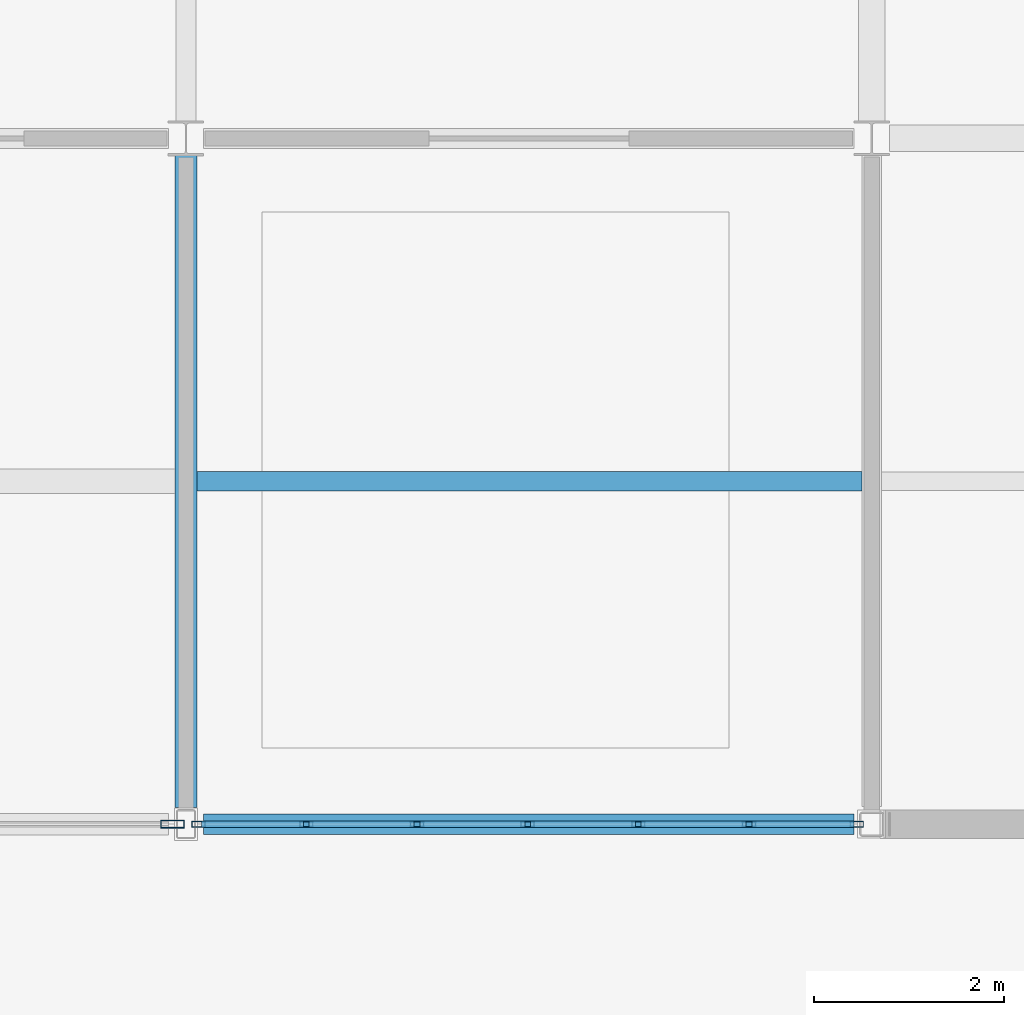
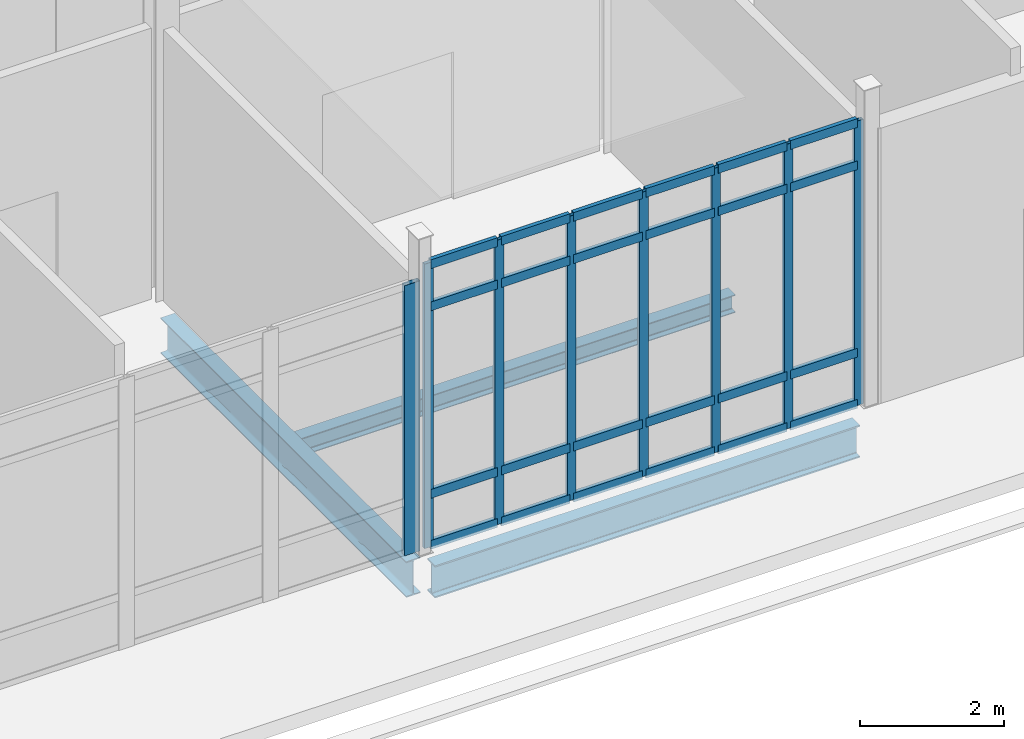
# One storey, part 114 of 229: 32 members, 3 beams, 2 elements without a shape of their own.
"""IFC4 building model written with IfcOpenShell, lengths in metres."""

import ifcopenshell
import ifcopenshell.guid

model = None  # the IFC model being written
_history = None  # IfcOwnerHistory: only IFC2X3 demands one
_inside = {}  # id of a spatial element -> (the spatial element, [elements in it])
_under = {}  # id of a project, library or spatial element -> (it, [spatial elements below it])
_declared = {}  # id of a project -> (the project, [libraries it declares])
_typed = {}  # id of a type object -> (the type object, [elements of that type])
_made_of = {}  # id of a material, layer set ... -> (it, [elements and type objects made of it])


def new_model(schema):
    """Start an empty IFC model of exactly this schema.

    Asked for "IFC4X3", IfcOpenShell would pick the latest addendum, in which some entities
    have other attributes; the version numbers below select the first issue.
    IFC2X3 requires an IfcOwnerHistory on every rooted entity: one is made here for all.
    """
    global model, _history
    if schema == "IFC4X3":
        model = ifcopenshell.file(schema_version=(4, 3, 0, 0))
    else:
        model = ifcopenshell.file(schema=schema)
    _inside.clear()
    _under.clear()
    _declared.clear()
    _typed.clear()
    _made_of.clear()
    _history = None
    if model.schema == "IFC2X3":
        org = make("IfcOrganization", Name="unknown")
        user = make(
            "IfcPersonAndOrganization",
            ThePerson=make("IfcPerson", FamilyName="unknown"),
            TheOrganization=org,
        )
        app = make(
            "IfcApplication",
            ApplicationDeveloper=org,
            Version="unknown",
            ApplicationFullName="unknown",
            ApplicationIdentifier="unknown",
        )
        _history = make(
            "IfcOwnerHistory",
            OwningUser=user,
            OwningApplication=app,
            ChangeAction="ADDED",
            CreationDate=0,
        )
    return model


def make(cls, **values):
    """One entity of the class cls with the attributes given. An attribute that is None is left unset."""
    return model.create_entity(
        cls, **{name: value for name, value in values.items() if value is not None}
    )


def rooted(cls, **values):
    """An entity with a GlobalId (a new one), such as an element, a storey or a relation."""
    return make(cls, GlobalId=ifcopenshell.guid.new(), OwnerHistory=_history, **values)


def si_unit(unit_type, name, prefix=None):
    """IfcSIUnit, for example si_unit("LENGTHUNIT", "METRE", prefix="MILLI")."""
    return make("IfcSIUnit", UnitType=unit_type, Prefix=prefix, Name=name)


def assignment(units):
    """IfcUnitAssignment: the units of a project."""
    return None if units is None else make("IfcUnitAssignment", Units=units)


def point(xyz):
    """IfcCartesianPoint."""
    return None if xyz is None else make("IfcCartesianPoint", Coordinates=xyz)


def direction(xyz):
    """IfcDirection."""
    return None if xyz is None else make("IfcDirection", DirectionRatios=xyz)


def frame(location, z_axis=None, x_axis=None):
    """IfcAxis2Placement3D, a coordinate frame: its origin and axes. An axis left out is left unset."""
    return make(
        "IfcAxis2Placement3D",
        Location=point(location),
        Axis=direction(z_axis),
        RefDirection=direction(x_axis),
    )


def frame_2d(location, x_axis=None):
    """IfcAxis2Placement2D, a coordinate frame in the plane: its origin and x axis."""
    return make(
        "IfcAxis2Placement2D", Location=point(location), RefDirection=direction(x_axis)
    )


def origin():
    """The frame at (0, 0, 0) with its axes left unset."""
    return frame((0.0, 0.0, 0.0))


def origin_2d():
    """The frame at (0, 0) in the plane with its x axis left unset."""
    return frame_2d((0.0, 0.0))


def place(relative_to, where):
    """IfcLocalPlacement: puts the frame where relative to a parent placement (None: the world)."""
    return make(
        "IfcLocalPlacement", PlacementRelTo=relative_to, RelativePlacement=where
    )


def context(
    kind, dimensions, precision=None, world=None, true_north=None, identifier=None
):
    """IfcGeometricRepresentationContext, for example the 3D "Model" context."""
    return make(
        "IfcGeometricRepresentationContext",
        ContextIdentifier=identifier,
        ContextType=kind,
        CoordinateSpaceDimension=dimensions,
        Precision=precision,
        WorldCoordinateSystem=world,
        TrueNorth=true_north,
    )


def subcontext(parent, identifier, kind, view, scale=None):
    """IfcGeometricRepresentationSubContext, for example "Body" below "Model"."""
    return make(
        "IfcGeometricRepresentationSubContext",
        ContextIdentifier=identifier,
        ContextType=kind,
        ParentContext=parent,
        TargetScale=scale,
        TargetView=view,
    )


def project(units=None, contexts=None):
    """IfcProject with its units and contexts."""
    return rooted(
        "IfcProject",
        Name="project",
        RepresentationContexts=contexts,
        UnitsInContext=assignment(units),
    )


def spatial(cls, under=None, at=None, **own):
    """A site, building, storey or space (cls), placed at a placement, below another one or the project."""
    s = rooted(cls, ObjectPlacement=at, **own)
    if under is not None:
        _under.setdefault(under.id(), (under, []))[1].append(s)
    return s


def profile(cls, at=None, kind="AREA", **sizes):
    """A parametric profile (cls). Its sizes go by their IFC names, for example OverallWidth=200.0."""
    return make(cls, ProfileType=kind, Position=at, **sizes)


def hollow_rectangle(**sizes):
    """IfcRectangleHollowProfileDef."""
    return profile("IfcRectangleHollowProfileDef", **sizes)


def i_section(**sizes):
    """IfcIShapeProfileDef."""
    return profile("IfcIShapeProfileDef", **sizes)


def extrude(swept, where, along, depth):
    """IfcExtrudedAreaSolid: the profile swept, set in the frame where, extruded along a direction by depth."""
    return make(
        "IfcExtrudedAreaSolid",
        SweptArea=swept,
        Position=where,
        ExtrudedDirection=direction(along),
        Depth=depth,
    )


def shape(context_of_items, identifier, shape_type, items):
    """IfcShapeRepresentation: the items that make up one representation, for example the "Body"."""
    return make(
        "IfcShapeRepresentation",
        ContextOfItems=context_of_items,
        RepresentationIdentifier=identifier,
        RepresentationType=shape_type,
        Items=items,
    )


def material(Name=None, Category=None):
    """IfcMaterial."""
    return make("IfcMaterial", Name=Name, Category=Category)


def layer(
    of_material, thickness, ventilated=None, Name=None, Category=None, Priority=None
):
    """IfcMaterialLayer: one layer of a wall or slab, of a material (None: an air gap)."""
    return make(
        "IfcMaterialLayer",
        Material=of_material,
        LayerThickness=thickness,
        IsVentilated=ventilated,
        Name=Name,
        Category=Category,
        Priority=Priority,
    )


def layer_set(layers, Name=None):
    """IfcMaterialLayerSet."""
    return make("IfcMaterialLayerSet", MaterialLayers=layers, LayerSetName=Name)


def material_profile(
    of_material, cross_section, Name=None, Category=None, Priority=None
):
    """IfcMaterialProfile: a cross section and its material."""
    return make(
        "IfcMaterialProfile",
        Name=Name,
        Material=of_material,
        Profile=cross_section,
        Priority=Priority,
        Category=Category,
    )


def profile_set(profiles, Name=None, composite=None):
    """IfcMaterialProfileSet."""
    return make(
        "IfcMaterialProfileSet",
        Name=Name,
        MaterialProfiles=profiles,
        CompositeProfile=composite,
    )


def made_of(thing, what):
    """Note that an element or type object is made of a material, layer set ...; save() writes the relation."""
    if what is not None:
        _made_of.setdefault(what.id(), (what, []))[1].append(thing)
    return thing


def type_object(cls, material=None, **own):
    """A type object (cls), such as IfcWallType, which elements share."""
    return made_of(rooted(cls, **own), material)


def element(
    cls,
    number,
    at=None,
    inside=None,
    cuts=None,
    type_object=None,
    material=None,
    context=None,
    identifier="Body",
    shape_type=None,
    held_by="IfcProductDefinitionShape",
    body=None,
    shapes=None,
    **own,
):
    """One element of the class cls, such as IfcWall. Its Tag is "e" and its number.

    at: its placement. inside: the storey or other place that contains it. cuts: it is an
    opening in that element (IfcRelVoidsElement). A single representation is given by context,
    identifier, shape_type and body (its items); several are given by shapes. held_by: the class
    of the entity that holds the representations. save() writes the other relations.
    """
    e = rooted(cls, Tag="e%d" % number, ObjectPlacement=at, **own)
    if body is not None:
        shapes = [shape(context, identifier, shape_type, body)]
    if shapes is not None:
        e.Representation = make(held_by, Representations=shapes)
    if inside is not None:
        _inside.setdefault(inside.id(), (inside, []))[1].append(e)
    if cuts is not None:
        rooted(
            "IfcRelVoidsElement", RelatingBuildingElement=cuts, RelatedOpeningElement=e
        )
    if type_object is not None:
        _typed.setdefault(type_object.id(), (type_object, []))[1].append(e)
    return made_of(e, material)


def aggregate(whole, parts):
    """IfcRelAggregates: a whole, such as a stair, and the parts it consists of."""
    return rooted("IfcRelAggregates", RelatingObject=whole, RelatedObjects=parts)


def save(model, path):
    """Write the relations noted so far, then the file.

    IfcRelAggregates (storeys below a building ...), IfcRelContainedInSpatialStructure (elements
    in a storey), IfcRelDefinesByType, IfcRelAssociatesMaterial and IfcRelDeclares: one each for
    every whole, place, type object, material and project.
    """
    for whole, parts in _under.values():
        aggregate(whole, parts)
    for where, things in _inside.values():
        rooted(
            "IfcRelContainedInSpatialStructure",
            RelatedElements=things,
            RelatingStructure=where,
        )
    for kind, things in _typed.values():
        rooted("IfcRelDefinesByType", RelatedObjects=things, RelatingType=kind)
    for what, things in _made_of.values():
        rooted("IfcRelAssociatesMaterial", RelatedObjects=things, RelatingMaterial=what)
    for by, libraries in _declared.values():
        rooted("IfcRelDeclares", RelatingContext=by, RelatedDefinitions=libraries)
    model.write(path)


model = new_model("IFC4")

# Units and contexts
model_context = context("Model", 3, precision=1e-05, world=origin(), true_north=direction((0.0, 1.0)))
body_context = subcontext(model_context, "Body", "Model", "MODEL_VIEW")
ifc_project = project(units=[si_unit("LENGTHUNIT", "METRE"), si_unit("AREAUNIT", "SQUARE_METRE"), si_unit("VOLUMEUNIT", "CUBIC_METRE"), si_unit("PLANEANGLEUNIT", "RADIAN"), si_unit("MASSUNIT", "GRAM", prefix="KILO")], contexts=[model_context])

# Site, building, storey
site_placement = place(None, origin())
site = spatial("IfcSite", under=ifc_project, at=site_placement, CompositionType="ELEMENT")
building_placement = place(site_placement, origin())
building = spatial("IfcBuilding", under=site, at=building_placement, Name="Calvrana Isthmian Art Gallery", CompositionType="ELEMENT")
storey_placement = place(building_placement, origin())
storey = spatial("IfcBuildingStorey", under=building, at=storey_placement, Name="L00", CompositionType="ELEMENT", Elevation=0.0)

# Beams
ifc_material_1 = material(Name="Steel ASTM A992 Gr 50", Category="steel")
ifc_material_profile_1 = material_profile(ifc_material_1, i_section(OverallWidth=0.214111328125, OverallDepth=0.549072265625, WebThickness=0.0146484375, FlangeThickness=0.023681640625, FilletRadius=0.02099609375, at=origin_2d()), Name="W21X93")
ifc_profile_set_1 = profile_set([ifc_material_profile_1], Name="Steel ASTM A992 Gr 50")
beam_type_1 = type_object("IfcBeamType", Name="BM-G-W21X93", PredefinedType="BEAM", material=ifc_profile_set_1)
beam_1_placement = place(storey_placement, frame((127.384033203125, 0.0, -0.5595703125), z_axis=(1.0, 0.0, 0.0), x_axis=(0.0, 1.0, 0.0)))
element("IfcBeam", 1, at=beam_1_placement, inside=storey, type_object=beam_type_1, Name="Girder X L00 17-18/A", PredefinedType="BEAM", context=body_context, shape_type="SweptSolid", body=[
    extrude(i_section(OverallWidth=0.214111328125, OverallDepth=0.549072265625, WebThickness=0.0146484375, FlangeThickness=0.023681640625, FilletRadius=0.02099609375, at=origin_2d()), origin(), (0.0, 0.0, 1.0), 6.829345703125),
])
ifc_material_profile_2 = material_profile(ifc_material_1, i_section(OverallWidth=0.22802734375, OverallDepth=0.60693359375, WebThickness=0.01123046875, FlangeThickness=0.017333984375, FilletRadius=0.02197265625, at=origin_2d()), Name="W24X76")
ifc_profile_set_2 = profile_set([ifc_material_profile_2], Name="Steel ASTM A992 Gr 50")
beam_type_2 = type_object("IfcBeamType", Name="BM-G-W24X76", PredefinedType="BEAM", material=ifc_profile_set_2)
beam_2_placement = place(storey_placement, frame((127.199951171875, 0.177978515625, -0.58837890625), z_axis=(0.0, 1.0, 0.0), x_axis=(-1.0, 0.0, 0.0)))
element("IfcBeam", 2, at=beam_2_placement, inside=storey, type_object=beam_type_2, Name="Girder Y L00 17/A-B", PredefinedType="BEAM", context=body_context, shape_type="SweptSolid", body=[
    extrude(i_section(OverallWidth=0.22802734375, OverallDepth=0.60693359375, WebThickness=0.01123046875, FlangeThickness=0.017333984375, FilletRadius=0.02197265625, at=origin_2d()), origin(), (0.0, 0.0, 1.0), 6.840576171875),
])
ifc_material_profile_3 = material_profile(ifc_material_1, i_section(OverallWidth=0.202880859375, OverallDepth=0.302001953125, WebThickness=0.007568359375, FlangeThickness=0.01318359375, FilletRadius=0.01611328125, at=origin_2d()), Name="W12X40")
ifc_profile_set_3 = profile_set([ifc_material_profile_3], Name="Steel ASTM A992 Gr 50")
beam_type_3 = type_object("IfcBeamType", Name="BM-J-W12X40", PredefinedType="JOIST", material=ifc_profile_set_3)
beam_3_placement = place(storey_placement, frame((127.31396484375, 3.60009765625, -0.43603515625), z_axis=(1.0, 0.0, 0.0), x_axis=(0.0, 1.0, 0.0)))
element("IfcBeam", 3, at=beam_3_placement, inside=storey, type_object=beam_type_3, Name="Composite joist L00 bay 16-00", PredefinedType="JOIST", context=body_context, shape_type="SweptSolid", body=[
    extrude(i_section(OverallWidth=0.202880859375, OverallDepth=0.302001953125, WebThickness=0.007568359375, FlangeThickness=0.01318359375, FilletRadius=0.01611328125, at=origin_2d()), origin(), (0.0, 0.0, 1.0), 6.9814453125),
])

# Curtain wall, members
ifc_material_2 = material(Name="Anodized bronze aluminium 6063-T6", Category="aluminium")
ifc_layer_1 = layer(ifc_material_2, 0.179931640625, Name="Anodized bronze aluminium 6063-T6")
ifc_layer_set_1 = layer_set([ifc_layer_1], Name="Anodized bronze aluminium 6063-T6")
curtain_wall_type_1 = type_object("IfcCurtainWallType", Name="CW-UNIT-070X48", PredefinedType="USERDEFINED", material=ifc_layer_set_1)
curtain_wall_1_placement = place(storey_placement, origin())
curtain_wall_1 = element("IfcCurtainWall", 4, at=curtain_wall_1_placement, inside=storey, type_object=curtain_wall_type_1, Name="Curtain wall CW-012", ObjectType="UNITISED CURTAIN WALL", PredefinedType="USERDEFINED")
ifc_material_profile_4 = material_profile(ifc_material_2, hollow_rectangle(XDim=0.06005859375, YDim=0.139892578125, WallThickness=0.00390625, at=origin_2d()), Name="CWM60X140")
ifc_profile_set_4 = profile_set([ifc_material_profile_4], Name="Anodized bronze aluminium 6063-T6")
member_type_1 = type_object("IfcMemberType", Name="CWM-CWM60X140", PredefinedType="MULLION", material=ifc_profile_set_4)
member_1_placement = place(storey_placement, frame((134.242919921875, 0.0, 0.0), z_axis=(0.0, 0.0, 1.0), x_axis=(0.0, -1.0, 0.0)))
member_1 = element("IfcMember", 5, at=member_1_placement, type_object=member_type_1, Name="CW-012 mullion 1", PredefinedType="MULLION", context=body_context, shape_type="SweptSolid", body=[
    extrude(hollow_rectangle(XDim=0.06005859375, YDim=0.139892578125, WallThickness=0.00390625, at=origin_2d()), origin(), (0.0, 0.0, 1.0), 4.835205078125),
])
member_2_placement = place(storey_placement, frame((133.111083984375, 0.0, 0.0), z_axis=(0.0, 0.0, 1.0), x_axis=(0.0, -1.0, 0.0)))
member_2 = element("IfcMember", 6, at=member_2_placement, type_object=member_type_1, Name="CW-012 mullion 2", PredefinedType="MULLION", context=body_context, shape_type="SweptSolid", body=[
    extrude(hollow_rectangle(XDim=0.06005859375, YDim=0.139892578125, WallThickness=0.00390625, at=origin_2d()), origin(), (0.0, 0.0, 1.0), 4.835205078125),
])
member_3_placement = place(storey_placement, frame((131.94921875, 0.0, 0.0), z_axis=(0.0, 0.0, 1.0), x_axis=(0.0, -1.0, 0.0)))
member_3 = element("IfcMember", 7, at=member_3_placement, type_object=member_type_1, Name="CW-012 mullion 3", PredefinedType="MULLION", context=body_context, shape_type="SweptSolid", body=[
    extrude(hollow_rectangle(XDim=0.06005859375, YDim=0.139892578125, WallThickness=0.00390625, at=origin_2d()), origin(), (0.0, 0.0, 1.0), 4.835205078125),
])
member_4_placement = place(storey_placement, frame((130.787353515625, 0.0, 0.0), z_axis=(0.0, 0.0, 1.0), x_axis=(0.0, -1.0, 0.0)))
member_4 = element("IfcMember", 8, at=member_4_placement, type_object=member_type_1, Name="CW-012 mullion 4", PredefinedType="MULLION", context=body_context, shape_type="SweptSolid", body=[
    extrude(hollow_rectangle(XDim=0.06005859375, YDim=0.139892578125, WallThickness=0.00390625, at=origin_2d()), origin(), (0.0, 0.0, 1.0), 4.835205078125),
])
member_5_placement = place(storey_placement, frame((129.62548828125, 0.0, 0.0), z_axis=(0.0, 0.0, 1.0), x_axis=(0.0, -1.0, 0.0)))
member_5 = element("IfcMember", 9, at=member_5_placement, type_object=member_type_1, Name="CW-012 mullion 5", PredefinedType="MULLION", context=body_context, shape_type="SweptSolid", body=[
    extrude(hollow_rectangle(XDim=0.06005859375, YDim=0.139892578125, WallThickness=0.00390625, at=origin_2d()), origin(), (0.0, 0.0, 1.0), 4.835205078125),
])
member_6_placement = place(storey_placement, frame((128.46337890625, 0.0, 0.0), z_axis=(0.0, 0.0, 1.0), x_axis=(0.0, -1.0, 0.0)))
member_6 = element("IfcMember", 10, at=member_6_placement, type_object=member_type_1, Name="CW-012 mullion 6", PredefinedType="MULLION", context=body_context, shape_type="SweptSolid", body=[
    extrude(hollow_rectangle(XDim=0.06005859375, YDim=0.139892578125, WallThickness=0.00390625, at=origin_2d()), origin(), (0.0, 0.0, 1.0), 4.835205078125),
])
member_7_placement = place(storey_placement, frame((127.33154296875, 0.0, 0.0), z_axis=(0.0, 0.0, 1.0), x_axis=(0.0, -1.0, 0.0)))
member_7 = element("IfcMember", 11, at=member_7_placement, type_object=member_type_1, Name="CW-012 mullion 7", PredefinedType="MULLION", context=body_context, shape_type="SweptSolid", body=[
    extrude(hollow_rectangle(XDim=0.06005859375, YDim=0.139892578125, WallThickness=0.00390625, at=origin_2d()), origin(), (0.0, 0.0, 1.0), 4.835205078125),
])

# Curtain wall, member
ifc_layer_2 = layer(ifc_material_2, 0.179931640625, Name="Anodized bronze aluminium 6063-T6")
ifc_layer_set_2 = layer_set([ifc_layer_2], Name="Anodized bronze aluminium 6063-T6")
curtain_wall_type_2 = type_object("IfcCurtainWallType", Name="CW-STICK-069X46", PredefinedType="NOTDEFINED", material=ifc_layer_set_2)
curtain_wall_2_placement = place(storey_placement, origin())
curtain_wall_2 = element("IfcCurtainWall", 12, at=curtain_wall_2_placement, inside=storey, type_object=curtain_wall_type_2, Name="Curtain wall CW-011", PredefinedType="NOTDEFINED")
ifc_material_profile_5 = material_profile(ifc_material_2, hollow_rectangle(XDim=0.080078125, YDim=0.25, WallThickness=0.005615234375, at=origin_2d()), Name="CWM80X250")
ifc_profile_set_5 = profile_set([ifc_material_profile_5], Name="Anodized bronze aluminium 6063-T6")
member_type_2 = type_object("IfcMemberType", Name="CWM-CWM80X250", PredefinedType="MULLION", material=ifc_profile_set_5)
member_8_placement = place(storey_placement, frame((127.058349609375, 0.0, 0.0), z_axis=(0.0, 0.0, 1.0), x_axis=(0.0, -1.0, 0.0)))
member_8 = element("IfcMember", 13, at=member_8_placement, type_object=member_type_2, Name="CW-011 mullion 1", PredefinedType="MULLION", context=body_context, shape_type="SweptSolid", body=[
    extrude(hollow_rectangle(XDim=0.080078125, YDim=0.25, WallThickness=0.005615234375, at=origin_2d()), origin(), (0.0, 0.0, 1.0), 4.591064453125),
])
aggregate(curtain_wall_2, [member_8])

# Member
ifc_material_profile_6 = material_profile(ifc_material_2, hollow_rectangle(XDim=0.06494140625, YDim=0.14990234375, WallThickness=0.00390625, at=origin_2d()), Name="CWT65X150")
ifc_profile_set_6 = profile_set([ifc_material_profile_6], Name="Anodized bronze aluminium 6063-T6")
member_type_3 = type_object("IfcMemberType", Name="CWT-CWT65X150", PredefinedType="USERDEFINED", material=ifc_profile_set_6)
member_9_placement = place(storey_placement, frame((134.212890625, 0.0, 0.032470703125), z_axis=(-1.0, 0.0, 0.0), x_axis=(0.0, -1.0, 0.0)))
member_9 = element("IfcMember", 14, at=member_9_placement, type_object=member_type_3, Name="CW-012 transom 1.1", ObjectType="TRANSOM", PredefinedType="USERDEFINED", context=body_context, shape_type="SweptSolid", body=[
    extrude(hollow_rectangle(XDim=0.06494140625, YDim=0.14990234375, WallThickness=0.00390625, at=origin_2d()), origin(), (0.0, 0.0, 1.0), 1.07177734375),
])

member_10_placement = place(storey_placement, frame((134.212890625, 0.0, 0.89990234375), z_axis=(-1.0, 0.0, 0.0), x_axis=(0.0, -1.0, 0.0)))
member_10 = element("IfcMember", 15, at=member_10_placement, type_object=member_type_3, Name="CW-012 transom 1.2", ObjectType="TRANSOM", PredefinedType="USERDEFINED", context=body_context, shape_type="SweptSolid", body=[
    extrude(hollow_rectangle(XDim=0.06494140625, YDim=0.14990234375, WallThickness=0.00390625, at=origin_2d()), origin(), (0.0, 0.0, 1.0), 1.07177734375),
])

member_11_placement = place(storey_placement, frame((134.212890625, 0.0, 4.085205078125), z_axis=(-1.0, 0.0, 0.0), x_axis=(0.0, -1.0, 0.0)))
member_11 = element("IfcMember", 16, at=member_11_placement, type_object=member_type_3, Name="CW-012 transom 1.3", ObjectType="TRANSOM", PredefinedType="USERDEFINED", context=body_context, shape_type="SweptSolid", body=[
    extrude(hollow_rectangle(XDim=0.06494140625, YDim=0.14990234375, WallThickness=0.00390625, at=origin_2d()), origin(), (0.0, 0.0, 1.0), 1.07177734375),
])

member_12_placement = place(storey_placement, frame((134.212890625, 0.0, 4.802734375), z_axis=(-1.0, 0.0, 0.0), x_axis=(0.0, -1.0, 0.0)))
member_12 = element("IfcMember", 17, at=member_12_placement, type_object=member_type_3, Name="CW-012 transom 1.4", ObjectType="TRANSOM", PredefinedType="USERDEFINED", context=body_context, shape_type="SweptSolid", body=[
    extrude(hollow_rectangle(XDim=0.06494140625, YDim=0.14990234375, WallThickness=0.00390625, at=origin_2d()), origin(), (0.0, 0.0, 1.0), 1.07177734375),
])

member_13_placement = place(storey_placement, frame((133.0810546875, 0.0, 0.032470703125), z_axis=(-1.0, 0.0, 0.0), x_axis=(0.0, -1.0, 0.0)))
member_13 = element("IfcMember", 18, at=member_13_placement, type_object=member_type_3, Name="CW-012 transom 2.1", ObjectType="TRANSOM", PredefinedType="USERDEFINED", context=body_context, shape_type="SweptSolid", body=[
    extrude(hollow_rectangle(XDim=0.06494140625, YDim=0.14990234375, WallThickness=0.00390625, at=origin_2d()), origin(), (0.0, 0.0, 1.0), 1.101806640625),
])

member_14_placement = place(storey_placement, frame((133.0810546875, 0.0, 0.89990234375), z_axis=(-1.0, 0.0, 0.0), x_axis=(0.0, -1.0, 0.0)))
member_14 = element("IfcMember", 19, at=member_14_placement, type_object=member_type_3, Name="CW-012 transom 2.2", ObjectType="TRANSOM", PredefinedType="USERDEFINED", context=body_context, shape_type="SweptSolid", body=[
    extrude(hollow_rectangle(XDim=0.06494140625, YDim=0.14990234375, WallThickness=0.00390625, at=origin_2d()), origin(), (0.0, 0.0, 1.0), 1.101806640625),
])

member_15_placement = place(storey_placement, frame((133.0810546875, 0.0, 4.085205078125), z_axis=(-1.0, 0.0, 0.0), x_axis=(0.0, -1.0, 0.0)))
member_15 = element("IfcMember", 20, at=member_15_placement, type_object=member_type_3, Name="CW-012 transom 2.3", ObjectType="TRANSOM", PredefinedType="USERDEFINED", context=body_context, shape_type="SweptSolid", body=[
    extrude(hollow_rectangle(XDim=0.06494140625, YDim=0.14990234375, WallThickness=0.00390625, at=origin_2d()), origin(), (0.0, 0.0, 1.0), 1.101806640625),
])

member_16_placement = place(storey_placement, frame((133.0810546875, 0.0, 4.802734375), z_axis=(-1.0, 0.0, 0.0), x_axis=(0.0, -1.0, 0.0)))
member_16 = element("IfcMember", 21, at=member_16_placement, type_object=member_type_3, Name="CW-012 transom 2.4", ObjectType="TRANSOM", PredefinedType="USERDEFINED", context=body_context, shape_type="SweptSolid", body=[
    extrude(hollow_rectangle(XDim=0.06494140625, YDim=0.14990234375, WallThickness=0.00390625, at=origin_2d()), origin(), (0.0, 0.0, 1.0), 1.101806640625),
])

member_17_placement = place(storey_placement, frame((131.919189453125, 0.0, 0.032470703125), z_axis=(-1.0, 0.0, 0.0), x_axis=(0.0, -1.0, 0.0)))
member_17 = element("IfcMember", 22, at=member_17_placement, type_object=member_type_3, Name="CW-012 transom 3.1", ObjectType="TRANSOM", PredefinedType="USERDEFINED", context=body_context, shape_type="SweptSolid", body=[
    extrude(hollow_rectangle(XDim=0.06494140625, YDim=0.14990234375, WallThickness=0.00390625, at=origin_2d()), origin(), (0.0, 0.0, 1.0), 1.101806640625),
])

member_18_placement = place(storey_placement, frame((131.919189453125, 0.0, 0.89990234375), z_axis=(-1.0, 0.0, 0.0), x_axis=(0.0, -1.0, 0.0)))
member_18 = element("IfcMember", 23, at=member_18_placement, type_object=member_type_3, Name="CW-012 transom 3.2", ObjectType="TRANSOM", PredefinedType="USERDEFINED", context=body_context, shape_type="SweptSolid", body=[
    extrude(hollow_rectangle(XDim=0.06494140625, YDim=0.14990234375, WallThickness=0.00390625, at=origin_2d()), origin(), (0.0, 0.0, 1.0), 1.101806640625),
])

member_19_placement = place(storey_placement, frame((131.919189453125, 0.0, 4.085205078125), z_axis=(-1.0, 0.0, 0.0), x_axis=(0.0, -1.0, 0.0)))
member_19 = element("IfcMember", 24, at=member_19_placement, type_object=member_type_3, Name="CW-012 transom 3.3", ObjectType="TRANSOM", PredefinedType="USERDEFINED", context=body_context, shape_type="SweptSolid", body=[
    extrude(hollow_rectangle(XDim=0.06494140625, YDim=0.14990234375, WallThickness=0.00390625, at=origin_2d()), origin(), (0.0, 0.0, 1.0), 1.101806640625),
])

member_20_placement = place(storey_placement, frame((131.919189453125, 0.0, 4.802734375), z_axis=(-1.0, 0.0, 0.0), x_axis=(0.0, -1.0, 0.0)))
member_20 = element("IfcMember", 25, at=member_20_placement, type_object=member_type_3, Name="CW-012 transom 3.4", ObjectType="TRANSOM", PredefinedType="USERDEFINED", context=body_context, shape_type="SweptSolid", body=[
    extrude(hollow_rectangle(XDim=0.06494140625, YDim=0.14990234375, WallThickness=0.00390625, at=origin_2d()), origin(), (0.0, 0.0, 1.0), 1.101806640625),
])

member_21_placement = place(storey_placement, frame((130.75732421875, 0.0, 0.032470703125), z_axis=(-1.0, 0.0, 0.0), x_axis=(0.0, -1.0, 0.0)))
member_21 = element("IfcMember", 26, at=member_21_placement, type_object=member_type_3, Name="CW-012 transom 4.1", ObjectType="TRANSOM", PredefinedType="USERDEFINED", context=body_context, shape_type="SweptSolid", body=[
    extrude(hollow_rectangle(XDim=0.06494140625, YDim=0.14990234375, WallThickness=0.00390625, at=origin_2d()), origin(), (0.0, 0.0, 1.0), 1.101806640625),
])

member_22_placement = place(storey_placement, frame((130.75732421875, 0.0, 0.89990234375), z_axis=(-1.0, 0.0, 0.0), x_axis=(0.0, -1.0, 0.0)))
member_22 = element("IfcMember", 27, at=member_22_placement, type_object=member_type_3, Name="CW-012 transom 4.2", ObjectType="TRANSOM", PredefinedType="USERDEFINED", context=body_context, shape_type="SweptSolid", body=[
    extrude(hollow_rectangle(XDim=0.06494140625, YDim=0.14990234375, WallThickness=0.00390625, at=origin_2d()), origin(), (0.0, 0.0, 1.0), 1.101806640625),
])

member_23_placement = place(storey_placement, frame((130.75732421875, 0.0, 4.085205078125), z_axis=(-1.0, 0.0, 0.0), x_axis=(0.0, -1.0, 0.0)))
member_23 = element("IfcMember", 28, at=member_23_placement, type_object=member_type_3, Name="CW-012 transom 4.3", ObjectType="TRANSOM", PredefinedType="USERDEFINED", context=body_context, shape_type="SweptSolid", body=[
    extrude(hollow_rectangle(XDim=0.06494140625, YDim=0.14990234375, WallThickness=0.00390625, at=origin_2d()), origin(), (0.0, 0.0, 1.0), 1.101806640625),
])

member_24_placement = place(storey_placement, frame((130.75732421875, 0.0, 4.802734375), z_axis=(-1.0, 0.0, 0.0), x_axis=(0.0, -1.0, 0.0)))
member_24 = element("IfcMember", 29, at=member_24_placement, type_object=member_type_3, Name="CW-012 transom 4.4", ObjectType="TRANSOM", PredefinedType="USERDEFINED", context=body_context, shape_type="SweptSolid", body=[
    extrude(hollow_rectangle(XDim=0.06494140625, YDim=0.14990234375, WallThickness=0.00390625, at=origin_2d()), origin(), (0.0, 0.0, 1.0), 1.101806640625),
])

member_25_placement = place(storey_placement, frame((129.595458984375, 0.0, 0.032470703125), z_axis=(-1.0, 0.0, 0.0), x_axis=(0.0, -1.0, 0.0)))
member_25 = element("IfcMember", 30, at=member_25_placement, type_object=member_type_3, Name="CW-012 transom 5.1", ObjectType="TRANSOM", PredefinedType="USERDEFINED", context=body_context, shape_type="SweptSolid", body=[
    extrude(hollow_rectangle(XDim=0.06494140625, YDim=0.14990234375, WallThickness=0.00390625, at=origin_2d()), origin(), (0.0, 0.0, 1.0), 1.10205078125),
])

member_26_placement = place(storey_placement, frame((129.595458984375, 0.0, 0.89990234375), z_axis=(-1.0, 0.0, 0.0), x_axis=(0.0, -1.0, 0.0)))
member_26 = element("IfcMember", 31, at=member_26_placement, type_object=member_type_3, Name="CW-012 transom 5.2", ObjectType="TRANSOM", PredefinedType="USERDEFINED", context=body_context, shape_type="SweptSolid", body=[
    extrude(hollow_rectangle(XDim=0.06494140625, YDim=0.14990234375, WallThickness=0.00390625, at=origin_2d()), origin(), (0.0, 0.0, 1.0), 1.10205078125),
])

member_27_placement = place(storey_placement, frame((129.595458984375, 0.0, 4.085205078125), z_axis=(-1.0, 0.0, 0.0), x_axis=(0.0, -1.0, 0.0)))
member_27 = element("IfcMember", 32, at=member_27_placement, type_object=member_type_3, Name="CW-012 transom 5.3", ObjectType="TRANSOM", PredefinedType="USERDEFINED", context=body_context, shape_type="SweptSolid", body=[
    extrude(hollow_rectangle(XDim=0.06494140625, YDim=0.14990234375, WallThickness=0.00390625, at=origin_2d()), origin(), (0.0, 0.0, 1.0), 1.10205078125),
])

member_28_placement = place(storey_placement, frame((129.595458984375, 0.0, 4.802734375), z_axis=(-1.0, 0.0, 0.0), x_axis=(0.0, -1.0, 0.0)))
member_28 = element("IfcMember", 33, at=member_28_placement, type_object=member_type_3, Name="CW-012 transom 5.4", ObjectType="TRANSOM", PredefinedType="USERDEFINED", context=body_context, shape_type="SweptSolid", body=[
    extrude(hollow_rectangle(XDim=0.06494140625, YDim=0.14990234375, WallThickness=0.00390625, at=origin_2d()), origin(), (0.0, 0.0, 1.0), 1.10205078125),
])

member_29_placement = place(storey_placement, frame((128.43359375, 0.0, 0.032470703125), z_axis=(-1.0, 0.0, 0.0), x_axis=(0.0, -1.0, 0.0)))
member_29 = element("IfcMember", 34, at=member_29_placement, type_object=member_type_3, Name="CW-012 transom 6.1", ObjectType="TRANSOM", PredefinedType="USERDEFINED", context=body_context, shape_type="SweptSolid", body=[
    extrude(hollow_rectangle(XDim=0.06494140625, YDim=0.14990234375, WallThickness=0.00390625, at=origin_2d()), origin(), (0.0, 0.0, 1.0), 1.072021484375),
])

member_30_placement = place(storey_placement, frame((128.43359375, 0.0, 0.89990234375), z_axis=(-1.0, 0.0, 0.0), x_axis=(0.0, -1.0, 0.0)))
member_30 = element("IfcMember", 35, at=member_30_placement, type_object=member_type_3, Name="CW-012 transom 6.2", ObjectType="TRANSOM", PredefinedType="USERDEFINED", context=body_context, shape_type="SweptSolid", body=[
    extrude(hollow_rectangle(XDim=0.06494140625, YDim=0.14990234375, WallThickness=0.00390625, at=origin_2d()), origin(), (0.0, 0.0, 1.0), 1.072021484375),
])

member_31_placement = place(storey_placement, frame((128.43359375, 0.0, 4.085205078125), z_axis=(-1.0, 0.0, 0.0), x_axis=(0.0, -1.0, 0.0)))
member_31 = element("IfcMember", 36, at=member_31_placement, type_object=member_type_3, Name="CW-012 transom 6.3", ObjectType="TRANSOM", PredefinedType="USERDEFINED", context=body_context, shape_type="SweptSolid", body=[
    extrude(hollow_rectangle(XDim=0.06494140625, YDim=0.14990234375, WallThickness=0.00390625, at=origin_2d()), origin(), (0.0, 0.0, 1.0), 1.072021484375),
])

member_32_placement = place(storey_placement, frame((128.43359375, 0.0, 4.802734375), z_axis=(-1.0, 0.0, 0.0), x_axis=(0.0, -1.0, 0.0)))
member_32 = element("IfcMember", 37, at=member_32_placement, type_object=member_type_3, Name="CW-012 transom 6.4", ObjectType="TRANSOM", PredefinedType="USERDEFINED", context=body_context, shape_type="SweptSolid", body=[
    extrude(hollow_rectangle(XDim=0.06494140625, YDim=0.14990234375, WallThickness=0.00390625, at=origin_2d()), origin(), (0.0, 0.0, 1.0), 1.072021484375),
])

aggregate(curtain_wall_1, [member_1, member_2, member_3, member_4, member_5, member_6, member_7, member_9, member_10, member_11, member_12, member_13, member_14, member_15, member_16, member_17, member_18, member_19, member_20, member_21, member_22, member_23, member_24, member_25, member_26, member_27, member_28, member_29, member_30, member_31, member_32])

save(model, "model.ifc")
